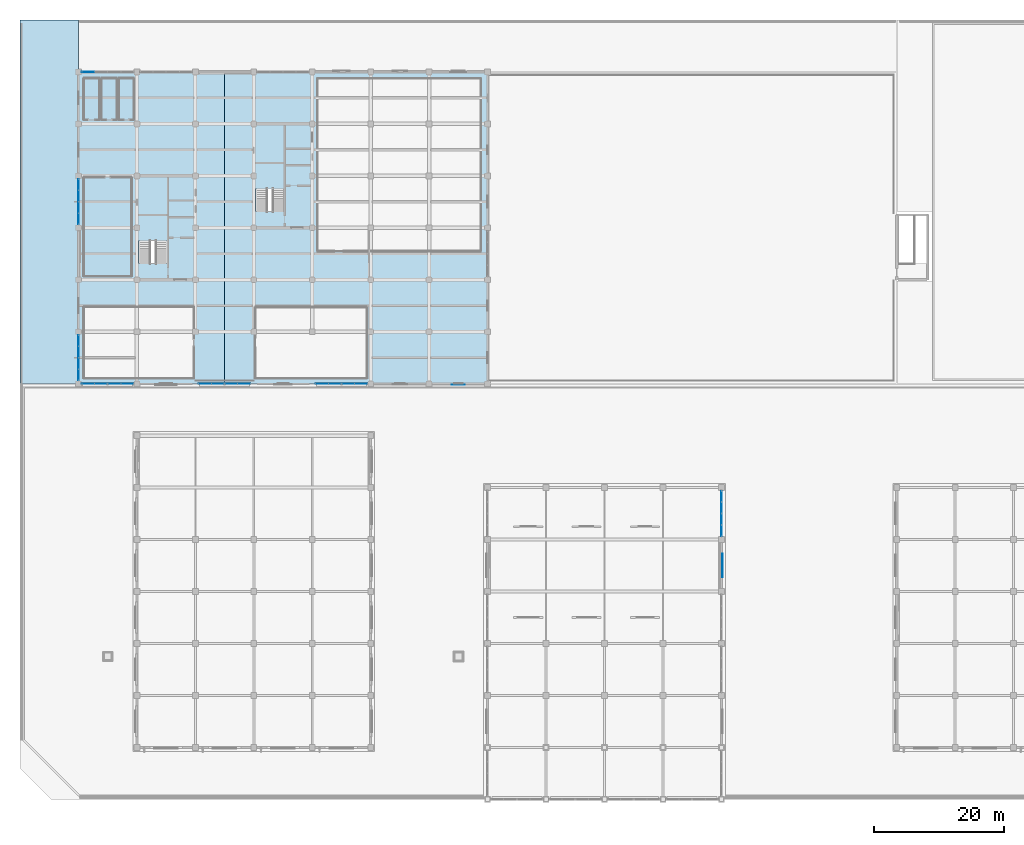
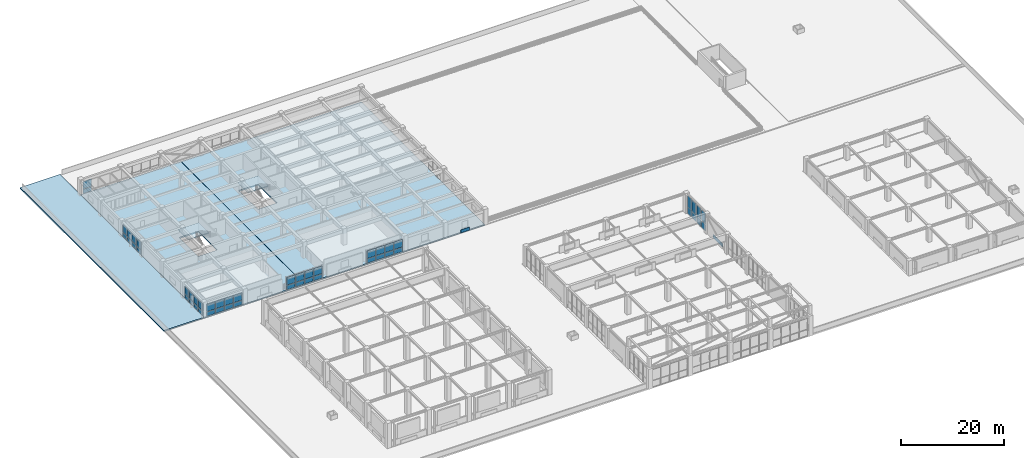
# One storey, part 16 of 34: 52 plates, 5 slabs, 9 elements without a shape of their own.
"""IFC4 building model written with IfcOpenShell, lengths in metres."""

from ifc_helpers import new_model, si_unit, direction, frame, frame_2d, origin, place, context, subcontext, project, spatial, polyline, rectangle, outline, extrude, material, layer, layer_set, type_object, element, aggregate, save


model = new_model("IFC4")

# Units and contexts
model_context = context("Model", 3, precision=1e-05, world=origin(), true_north=direction((0.0, 1.0)))
body_context = subcontext(model_context, "Body", "Model", "MODEL_VIEW")
ifc_project = project(units=[si_unit("LENGTHUNIT", "METRE"), si_unit("AREAUNIT", "SQUARE_METRE"), si_unit("VOLUMEUNIT", "CUBIC_METRE"), si_unit("PLANEANGLEUNIT", "RADIAN"), si_unit("MASSUNIT", "GRAM", prefix="KILO")], contexts=[model_context])

# Site, building, storey
site_placement = place(None, origin())
site = spatial("IfcSite", under=ifc_project, at=site_placement, CompositionType="ELEMENT")
building_placement = place(site_placement, origin())
building = spatial("IfcBuilding", under=site, at=building_placement, Name="Zaverband Oceanarium and Marine Research Institute", CompositionType="ELEMENT")
storey_placement = place(building_placement, frame((0.0, 0.0, 18.0)))
storey = spatial("IfcBuildingStorey", under=building, at=storey_placement, Name="L04", CompositionType="ELEMENT", Elevation=18.0)

# Curtain wall, plates
ifc_material_1 = material(Name="Thermally broken anodized aluminium and solar-control glass", Category="aluminium")
curtain_wall_type = type_object("IfcCurtainWallType", Name="CW-UNIT-1800", PredefinedType="NOTDEFINED", material=ifc_material_1)
curtain_wall_1_placement = place(storey_placement, origin())
curtain_wall_1 = element("IfcCurtainWall", 1, at=curtain_wall_1_placement, inside=storey, type_object=curtain_wall_type, Name="Unitised glazed curtain wall CW-064", PredefinedType="NOTDEFINED")
ifc_material_2 = material(Name="Low-E double-glazed solar-control glass", Category="glass")
ifc_layer_1 = layer(ifc_material_2, 0.033935546875, Name="Low-E double-glazed solar-control glass")
ifc_layer_set_1 = layer_set([ifc_layer_1], Name="Low-E double-glazed solar-control glass")
plate_type_1 = type_object("IfcPlateType", Name="CWP-1570x1043", PredefinedType="CURTAIN_PANEL", material=ifc_layer_set_1)
plate_1_placement = place(storey_placement, frame((9.0, 64.534912109375, 0.050048828125), z_axis=(0.0, 0.0, 1.0), x_axis=(0.0, 1.0, 0.0)))
plate_1 = element("IfcPlate", 2, at=plate_1_placement, type_object=plate_type_1, Name="Glazed curtain wall panel CWP-1570x1043", PredefinedType="CURTAIN_PANEL", context=body_context, shape_type="SweptSolid", body=[
    extrude(rectangle(XDim=1.612548828125, YDim=0.033935546875, at=frame_2d((0.80615234375, 0.0))), origin(), (0.0, 0.0, 1.0), 1.04296875),
])
plate_2_placement = place(storey_placement, frame((9.0, 66.3076171875, 0.050048828125), z_axis=(0.0, 0.0, 1.0), x_axis=(0.0, 1.0, 0.0)))
plate_2 = element("IfcPlate", 3, at=plate_2_placement, type_object=plate_type_1, Name="Glazed curtain wall panel CWP-1570x1043", PredefinedType="CURTAIN_PANEL", context=body_context, shape_type="SweptSolid", body=[
    extrude(rectangle(XDim=1.6123046875, YDim=0.033935546875, at=frame_2d((0.80615234375, 0.0))), origin(), (0.0, 0.0, 1.0), 1.04296875),
])
plate_3_placement = place(storey_placement, frame((9.0, 68.080078125, 0.050048828125), z_axis=(0.0, 0.0, 1.0), x_axis=(0.0, 1.0, 0.0)))
plate_3 = element("IfcPlate", 4, at=plate_3_placement, type_object=plate_type_1, Name="Glazed curtain wall panel CWP-1570x1043", PredefinedType="CURTAIN_PANEL", context=body_context, shape_type="SweptSolid", body=[
    extrude(rectangle(XDim=1.6123046875, YDim=0.033935546875, at=frame_2d((0.80615234375, 0.0))), origin(), (0.0, 0.0, 1.0), 1.04296875),
])
plate_4_placement = place(storey_placement, frame((9.0, 69.8525390625, 0.050048828125), z_axis=(0.0, 0.0, 1.0), x_axis=(0.0, 1.0, 0.0)))
plate_4 = element("IfcPlate", 5, at=plate_4_placement, type_object=plate_type_1, Name="Glazed curtain wall panel CWP-1570x1043", PredefinedType="CURTAIN_PANEL", context=body_context, shape_type="SweptSolid", body=[
    extrude(rectangle(XDim=1.612548828125, YDim=0.033935546875, at=frame_2d((0.80615234375, 0.0))), origin(), (0.0, 0.0, 1.0), 1.04296875),
])

curtain_wall_2_placement = place(storey_placement, origin())
curtain_wall_2 = element("IfcCurtainWall", 6, at=curtain_wall_2_placement, inside=storey, type_object=curtain_wall_type, Name="Unitised glazed curtain wall CW-065", PredefinedType="NOTDEFINED")
plate_5_placement = place(storey_placement, frame((9.0, 88.534912109375, 0.050048828125), z_axis=(0.0, 0.0, 1.0), x_axis=(0.0, 1.0, 0.0)))
plate_5 = element("IfcPlate", 7, at=plate_5_placement, type_object=plate_type_1, Name="Glazed curtain wall panel CWP-1570x1043", PredefinedType="CURTAIN_PANEL", context=body_context, shape_type="SweptSolid", body=[
    extrude(rectangle(XDim=1.612548828125, YDim=0.033935546875, at=frame_2d((0.80615234375, 0.0))), origin(), (0.0, 0.0, 1.0), 1.04296875),
])
plate_6_placement = place(storey_placement, frame((9.0, 90.3076171875, 0.050048828125), z_axis=(0.0, 0.0, 1.0), x_axis=(0.0, 1.0, 0.0)))
plate_6 = element("IfcPlate", 8, at=plate_6_placement, type_object=plate_type_1, Name="Glazed curtain wall panel CWP-1570x1043", PredefinedType="CURTAIN_PANEL", context=body_context, shape_type="SweptSolid", body=[
    extrude(rectangle(XDim=1.6123046875, YDim=0.033935546875, at=frame_2d((0.80615234375, 0.0))), origin(), (0.0, 0.0, 1.0), 1.04296875),
])
plate_7_placement = place(storey_placement, frame((9.0, 92.080078125, 0.050048828125), z_axis=(0.0, 0.0, 1.0), x_axis=(0.0, 1.0, 0.0)))
plate_7 = element("IfcPlate", 9, at=plate_7_placement, type_object=plate_type_1, Name="Glazed curtain wall panel CWP-1570x1043", PredefinedType="CURTAIN_PANEL", context=body_context, shape_type="SweptSolid", body=[
    extrude(rectangle(XDim=1.6123046875, YDim=0.033935546875, at=frame_2d((0.80615234375, 0.0))), origin(), (0.0, 0.0, 1.0), 1.04296875),
])
plate_8_placement = place(storey_placement, frame((9.0, 93.8525390625, 0.050048828125), z_axis=(0.0, 0.0, 1.0), x_axis=(0.0, 1.0, 0.0)))
plate_8 = element("IfcPlate", 10, at=plate_8_placement, type_object=plate_type_1, Name="Glazed curtain wall panel CWP-1570x1043", PredefinedType="CURTAIN_PANEL", context=body_context, shape_type="SweptSolid", body=[
    extrude(rectangle(XDim=1.612548828125, YDim=0.033935546875, at=frame_2d((0.80615234375, 0.0))), origin(), (0.0, 0.0, 1.0), 1.04296875),
])

# Plate
ifc_layer_2 = layer(ifc_material_2, 0.035888671875, Name="Low-E double-glazed solar-control glass")
ifc_layer_set_2 = layer_set([ifc_layer_2], Name="Low-E double-glazed solar-control glass")
plate_type_2 = type_object("IfcPlateType", Name="CWP-1570x1777", PredefinedType="CURTAIN_PANEL", material=ifc_layer_set_2)
plate_9_placement = place(storey_placement, frame((9.0, 64.534912109375, 1.1630859375), z_axis=(0.0, 0.0, 1.0), x_axis=(0.0, 1.0, 0.0)))
plate_9 = element("IfcPlate", 11, at=plate_9_placement, type_object=plate_type_2, Name="Glazed curtain wall panel CWP-1570x1777", PredefinedType="CURTAIN_PANEL", context=body_context, shape_type="SweptSolid", body=[
    extrude(rectangle(XDim=1.612548828125, YDim=0.035888671875, at=frame_2d((0.80615234375, 0.0))), origin(), (0.0, 0.0, 1.0), 1.77685546875),
])

plate_10_placement = place(storey_placement, frame((9.0, 66.3076171875, 1.1630859375), z_axis=(0.0, 0.0, 1.0), x_axis=(0.0, 1.0, 0.0)))
plate_10 = element("IfcPlate", 12, at=plate_10_placement, type_object=plate_type_2, Name="Glazed curtain wall panel CWP-1570x1777", PredefinedType="CURTAIN_PANEL", context=body_context, shape_type="SweptSolid", body=[
    extrude(rectangle(XDim=1.6123046875, YDim=0.035888671875, at=frame_2d((0.80615234375, 0.0))), origin(), (0.0, 0.0, 1.0), 1.77685546875),
])

plate_11_placement = place(storey_placement, frame((9.0, 68.080078125, 1.1630859375), z_axis=(0.0, 0.0, 1.0), x_axis=(0.0, 1.0, 0.0)))
plate_11 = element("IfcPlate", 13, at=plate_11_placement, type_object=plate_type_2, Name="Glazed curtain wall panel CWP-1570x1777", PredefinedType="CURTAIN_PANEL", context=body_context, shape_type="SweptSolid", body=[
    extrude(rectangle(XDim=1.6123046875, YDim=0.035888671875, at=frame_2d((0.80615234375, 0.0))), origin(), (0.0, 0.0, 1.0), 1.77685546875),
])

plate_12_placement = place(storey_placement, frame((9.0, 69.8525390625, 1.1630859375), z_axis=(0.0, 0.0, 1.0), x_axis=(0.0, 1.0, 0.0)))
plate_12 = element("IfcPlate", 14, at=plate_12_placement, type_object=plate_type_2, Name="Glazed curtain wall panel CWP-1570x1777", PredefinedType="CURTAIN_PANEL", context=body_context, shape_type="SweptSolid", body=[
    extrude(rectangle(XDim=1.612548828125, YDim=0.035888671875, at=frame_2d((0.80615234375, 0.0))), origin(), (0.0, 0.0, 1.0), 1.77685546875),
])

aggregate(curtain_wall_1, [plate_1, plate_9, plate_2, plate_10, plate_3, plate_11, plate_4, plate_12])

plate_13_placement = place(storey_placement, frame((9.0, 88.534912109375, 1.1630859375), z_axis=(0.0, 0.0, 1.0), x_axis=(0.0, 1.0, 0.0)))
plate_13 = element("IfcPlate", 15, at=plate_13_placement, type_object=plate_type_2, Name="Glazed curtain wall panel CWP-1570x1777", PredefinedType="CURTAIN_PANEL", context=body_context, shape_type="SweptSolid", body=[
    extrude(rectangle(XDim=1.612548828125, YDim=0.035888671875, at=frame_2d((0.80615234375, 0.0))), origin(), (0.0, 0.0, 1.0), 1.77685546875),
])

plate_14_placement = place(storey_placement, frame((9.0, 90.3076171875, 1.1630859375), z_axis=(0.0, 0.0, 1.0), x_axis=(0.0, 1.0, 0.0)))
plate_14 = element("IfcPlate", 16, at=plate_14_placement, type_object=plate_type_2, Name="Glazed curtain wall panel CWP-1570x1777", PredefinedType="CURTAIN_PANEL", context=body_context, shape_type="SweptSolid", body=[
    extrude(rectangle(XDim=1.6123046875, YDim=0.035888671875, at=frame_2d((0.80615234375, 0.0))), origin(), (0.0, 0.0, 1.0), 1.77685546875),
])

plate_15_placement = place(storey_placement, frame((9.0, 92.080078125, 1.1630859375), z_axis=(0.0, 0.0, 1.0), x_axis=(0.0, 1.0, 0.0)))
plate_15 = element("IfcPlate", 17, at=plate_15_placement, type_object=plate_type_2, Name="Glazed curtain wall panel CWP-1570x1777", PredefinedType="CURTAIN_PANEL", context=body_context, shape_type="SweptSolid", body=[
    extrude(rectangle(XDim=1.6123046875, YDim=0.035888671875, at=frame_2d((0.80615234375, 0.0))), origin(), (0.0, 0.0, 1.0), 1.77685546875),
])

plate_16_placement = place(storey_placement, frame((9.0, 93.8525390625, 1.1630859375), z_axis=(0.0, 0.0, 1.0), x_axis=(0.0, 1.0, 0.0)))
plate_16 = element("IfcPlate", 18, at=plate_16_placement, type_object=plate_type_2, Name="Glazed curtain wall panel CWP-1570x1777", PredefinedType="CURTAIN_PANEL", context=body_context, shape_type="SweptSolid", body=[
    extrude(rectangle(XDim=1.612548828125, YDim=0.035888671875, at=frame_2d((0.80615234375, 0.0))), origin(), (0.0, 0.0, 1.0), 1.77685546875),
])

aggregate(curtain_wall_2, [plate_5, plate_13, plate_6, plate_14, plate_7, plate_15, plate_8, plate_16])

# Curtain wall, plates
curtain_wall_3_placement = place(storey_placement, origin())
curtain_wall_3 = element("IfcCurtainWall", 19, at=curtain_wall_3_placement, inside=storey, type_object=curtain_wall_type, Name="Unitised glazed curtain wall CW-194", PredefinedType="NOTDEFINED")
ifc_layer_3 = layer(ifc_material_2, 0.033935546875, Name="Low-E double-glazed solar-control glass")
ifc_layer_set_3 = layer_set([ifc_layer_3], Name="Low-E double-glazed solar-control glass")
plate_type_3 = type_object("IfcPlateType", Name="CWP-1610x1505", PredefinedType="CURTAIN_PANEL", material=ifc_layer_set_3)
plate_17_placement = place(storey_placement, frame((108.0, 40.5400390625, 0.050048828125), z_axis=(0.0, 0.0, 1.0), x_axis=(0.0, 1.0, 0.0)))
plate_17 = element("IfcPlate", 20, at=plate_17_placement, type_object=plate_type_3, Name="Glazed curtain wall panel CWP-1610x1505", PredefinedType="CURTAIN_PANEL", context=body_context, shape_type="SweptSolid", body=[
    extrude(rectangle(XDim=1.60986328125, YDim=0.033935546875, at=frame_2d((0.804931640625, 0.0))), origin(), (0.0, 0.0, 1.0), 1.5048828125),
])
plate_18_placement = place(storey_placement, frame((108.0, 42.31005859375, 0.050048828125), z_axis=(0.0, 0.0, 1.0), x_axis=(0.0, 1.0, 0.0)))
plate_18 = element("IfcPlate", 21, at=plate_18_placement, type_object=plate_type_3, Name="Glazed curtain wall panel CWP-1610x1505", PredefinedType="CURTAIN_PANEL", context=body_context, shape_type="SweptSolid", body=[
    extrude(rectangle(XDim=1.60986328125, YDim=0.033935546875, at=frame_2d((0.804931640625, 0.0))), origin(), (0.0, 0.0, 1.0), 1.5048828125),
])
plate_19_placement = place(storey_placement, frame((108.0, 44.080078125, 0.050048828125), z_axis=(0.0, 0.0, 1.0), x_axis=(0.0, 1.0, 0.0)))
plate_19 = element("IfcPlate", 22, at=plate_19_placement, type_object=plate_type_3, Name="Glazed curtain wall panel CWP-1610x1505", PredefinedType="CURTAIN_PANEL", context=body_context, shape_type="SweptSolid", body=[
    extrude(rectangle(XDim=1.60986328125, YDim=0.033935546875, at=frame_2d((0.804931640625, 0.0))), origin(), (0.0, 0.0, 1.0), 1.5048828125),
])
plate_20_placement = place(storey_placement, frame((108.0, 45.85009765625, 0.050048828125), z_axis=(0.0, 0.0, 1.0), x_axis=(0.0, 1.0, 0.0)))
plate_20 = element("IfcPlate", 23, at=plate_20_placement, type_object=plate_type_3, Name="Glazed curtain wall panel CWP-1610x1505", PredefinedType="CURTAIN_PANEL", context=body_context, shape_type="SweptSolid", body=[
    extrude(rectangle(XDim=1.60986328125, YDim=0.033935546875, at=frame_2d((0.804931640625, 0.0))), origin(), (0.0, 0.0, 1.0), 1.5048828125),
])
ifc_layer_4 = layer(ifc_material_2, 0.035888671875, Name="Low-E double-glazed solar-control glass")
ifc_layer_set_4 = layer_set([ifc_layer_4], Name="Low-E double-glazed solar-control glass")
plate_type_4 = type_object("IfcPlateType", Name="CWP-1610x2635", PredefinedType="CURTAIN_PANEL", material=ifc_layer_set_4)
plate_21_placement = place(storey_placement, frame((108.0, 40.5400390625, 1.625), z_axis=(0.0, 0.0, 1.0), x_axis=(0.0, 1.0, 0.0)))
plate_21 = element("IfcPlate", 24, at=plate_21_placement, type_object=plate_type_4, Name="Glazed curtain wall panel CWP-1610x2635", PredefinedType="CURTAIN_PANEL", context=body_context, shape_type="SweptSolid", body=[
    extrude(rectangle(XDim=1.60986328125, YDim=0.035888671875, at=frame_2d((0.804931640625, 0.0))), origin(), (0.0, 0.0, 1.0), 2.635009765625),
])
plate_22_placement = place(storey_placement, frame((108.0, 42.31005859375, 1.625), z_axis=(0.0, 0.0, 1.0), x_axis=(0.0, 1.0, 0.0)))
plate_22 = element("IfcPlate", 25, at=plate_22_placement, type_object=plate_type_4, Name="Glazed curtain wall panel CWP-1610x2635", PredefinedType="CURTAIN_PANEL", context=body_context, shape_type="SweptSolid", body=[
    extrude(rectangle(XDim=1.60986328125, YDim=0.035888671875, at=frame_2d((0.804931640625, 0.0))), origin(), (0.0, 0.0, 1.0), 2.635009765625),
])
plate_23_placement = place(storey_placement, frame((108.0, 44.080078125, 1.625), z_axis=(0.0, 0.0, 1.0), x_axis=(0.0, 1.0, 0.0)))
plate_23 = element("IfcPlate", 26, at=plate_23_placement, type_object=plate_type_4, Name="Glazed curtain wall panel CWP-1610x2635", PredefinedType="CURTAIN_PANEL", context=body_context, shape_type="SweptSolid", body=[
    extrude(rectangle(XDim=1.60986328125, YDim=0.035888671875, at=frame_2d((0.804931640625, 0.0))), origin(), (0.0, 0.0, 1.0), 2.635009765625),
])
plate_24_placement = place(storey_placement, frame((108.0, 45.85009765625, 1.625), z_axis=(0.0, 0.0, 1.0), x_axis=(0.0, 1.0, 0.0)))
plate_24 = element("IfcPlate", 27, at=plate_24_placement, type_object=plate_type_4, Name="Glazed curtain wall panel CWP-1610x2635", PredefinedType="CURTAIN_PANEL", context=body_context, shape_type="SweptSolid", body=[
    extrude(rectangle(XDim=1.60986328125, YDim=0.035888671875, at=frame_2d((0.804931640625, 0.0))), origin(), (0.0, 0.0, 1.0), 2.635009765625),
])
aggregate(curtain_wall_3, [plate_17, plate_21, plate_18, plate_22, plate_19, plate_23, plate_20, plate_24])

curtain_wall_4_placement = place(storey_placement, origin())
curtain_wall_4 = element("IfcCurtainWall", 28, at=curtain_wall_4_placement, inside=storey, type_object=curtain_wall_type, Name="Unitised glazed curtain wall CW-058", PredefinedType="NOTDEFINED")
ifc_layer_5 = layer(ifc_material_2, 0.033935546875, Name="Low-E double-glazed solar-control glass")
ifc_layer_set_5 = layer_set([ifc_layer_5], Name="Low-E double-glazed solar-control glass")
plate_type_5 = type_object("IfcPlateType", Name="CWP-1820x1043", PredefinedType="CURTAIN_PANEL", material=ifc_layer_set_5)
plate_25_placement = place(storey_placement, frame((9.534912109375, 64.0, 0.050048828125), z_axis=(0.0, 0.0, 1.0), x_axis=(1.0, 0.0, 0.0)))
plate_25 = element("IfcPlate", 29, at=plate_25_placement, type_object=plate_type_5, Name="Glazed curtain wall panel CWP-1820x1043", PredefinedType="CURTAIN_PANEL", context=body_context, shape_type="SweptSolid", body=[
    extrude(rectangle(XDim=1.862548828125, YDim=0.033935546875, at=frame_2d((0.93115234375, 0.0))), origin(), (0.0, 0.0, 1.0), 1.04296875),
])
plate_26_placement = place(storey_placement, frame((11.5576171875, 64.0, 0.050048828125), z_axis=(0.0, 0.0, 1.0), x_axis=(1.0, 0.0, 0.0)))
plate_26 = element("IfcPlate", 30, at=plate_26_placement, type_object=plate_type_5, Name="Glazed curtain wall panel CWP-1820x1043", PredefinedType="CURTAIN_PANEL", context=body_context, shape_type="SweptSolid", body=[
    extrude(rectangle(XDim=1.8623046875, YDim=0.033935546875, at=frame_2d((0.93115234375, 0.0))), origin(), (0.0, 0.0, 1.0), 1.04296875),
])
plate_27_placement = place(storey_placement, frame((13.580078125, 64.0, 0.050048828125), z_axis=(0.0, 0.0, 1.0), x_axis=(1.0, 0.0, 0.0)))
plate_27 = element("IfcPlate", 31, at=plate_27_placement, type_object=plate_type_5, Name="Glazed curtain wall panel CWP-1820x1043", PredefinedType="CURTAIN_PANEL", context=body_context, shape_type="SweptSolid", body=[
    extrude(rectangle(XDim=1.8623046875, YDim=0.033935546875, at=frame_2d((0.93115234375, 0.0))), origin(), (0.0, 0.0, 1.0), 1.04296875),
])
plate_28_placement = place(storey_placement, frame((15.6025390625, 64.0, 0.050048828125), z_axis=(0.0, 0.0, 1.0), x_axis=(1.0, 0.0, 0.0)))
plate_28 = element("IfcPlate", 32, at=plate_28_placement, type_object=plate_type_5, Name="Glazed curtain wall panel CWP-1820x1043", PredefinedType="CURTAIN_PANEL", context=body_context, shape_type="SweptSolid", body=[
    extrude(rectangle(XDim=1.862548828125, YDim=0.033935546875, at=frame_2d((0.93115234375, 0.0))), origin(), (0.0, 0.0, 1.0), 1.04296875),
])

curtain_wall_5_placement = place(storey_placement, origin())
curtain_wall_5 = element("IfcCurtainWall", 33, at=curtain_wall_5_placement, inside=storey, type_object=curtain_wall_type, Name="Unitised glazed curtain wall CW-059", PredefinedType="NOTDEFINED")
plate_29_placement = place(storey_placement, frame((27.534912109375, 64.0, 0.050048828125), z_axis=(0.0, 0.0, 1.0), x_axis=(1.0, 0.0, 0.0)))
plate_29 = element("IfcPlate", 34, at=plate_29_placement, type_object=plate_type_5, Name="Glazed curtain wall panel CWP-1820x1043", PredefinedType="CURTAIN_PANEL", context=body_context, shape_type="SweptSolid", body=[
    extrude(rectangle(XDim=1.862548828125, YDim=0.033935546875, at=frame_2d((0.93115234375, 0.0))), origin(), (0.0, 0.0, 1.0), 1.04296875),
])
plate_30_placement = place(storey_placement, frame((29.5576171875, 64.0, 0.050048828125), z_axis=(0.0, 0.0, 1.0), x_axis=(1.0, 0.0, 0.0)))
plate_30 = element("IfcPlate", 35, at=plate_30_placement, type_object=plate_type_5, Name="Glazed curtain wall panel CWP-1820x1043", PredefinedType="CURTAIN_PANEL", context=body_context, shape_type="SweptSolid", body=[
    extrude(rectangle(XDim=1.8623046875, YDim=0.033935546875, at=frame_2d((0.93115234375, 0.0))), origin(), (0.0, 0.0, 1.0), 1.04296875),
])
plate_31_placement = place(storey_placement, frame((31.580078125, 64.0, 0.050048828125), z_axis=(0.0, 0.0, 1.0), x_axis=(1.0, 0.0, 0.0)))
plate_31 = element("IfcPlate", 36, at=plate_31_placement, type_object=plate_type_5, Name="Glazed curtain wall panel CWP-1820x1043", PredefinedType="CURTAIN_PANEL", context=body_context, shape_type="SweptSolid", body=[
    extrude(rectangle(XDim=1.8623046875, YDim=0.033935546875, at=frame_2d((0.93115234375, 0.0))), origin(), (0.0, 0.0, 1.0), 1.04296875),
])
plate_32_placement = place(storey_placement, frame((33.6025390625, 64.0, 0.050048828125), z_axis=(0.0, 0.0, 1.0), x_axis=(1.0, 0.0, 0.0)))
plate_32 = element("IfcPlate", 37, at=plate_32_placement, type_object=plate_type_5, Name="Glazed curtain wall panel CWP-1820x1043", PredefinedType="CURTAIN_PANEL", context=body_context, shape_type="SweptSolid", body=[
    extrude(rectangle(XDim=1.862548828125, YDim=0.033935546875, at=frame_2d((0.93115234375, 0.0))), origin(), (0.0, 0.0, 1.0), 1.04296875),
])

curtain_wall_6_placement = place(storey_placement, origin())
curtain_wall_6 = element("IfcCurtainWall", 38, at=curtain_wall_6_placement, inside=storey, type_object=curtain_wall_type, Name="Unitised glazed curtain wall CW-060", PredefinedType="NOTDEFINED")
plate_33_placement = place(storey_placement, frame((45.534912109375, 64.0, 0.050048828125), z_axis=(0.0, 0.0, 1.0), x_axis=(1.0, 0.0, 0.0)))
plate_33 = element("IfcPlate", 39, at=plate_33_placement, type_object=plate_type_5, Name="Glazed curtain wall panel CWP-1820x1043", PredefinedType="CURTAIN_PANEL", context=body_context, shape_type="SweptSolid", body=[
    extrude(rectangle(XDim=1.862548828125, YDim=0.033935546875, at=frame_2d((0.93115234375, 0.0))), origin(), (0.0, 0.0, 1.0), 1.04296875),
])
plate_34_placement = place(storey_placement, frame((47.5576171875, 64.0, 0.050048828125), z_axis=(0.0, 0.0, 1.0), x_axis=(1.0, 0.0, 0.0)))
plate_34 = element("IfcPlate", 40, at=plate_34_placement, type_object=plate_type_5, Name="Glazed curtain wall panel CWP-1820x1043", PredefinedType="CURTAIN_PANEL", context=body_context, shape_type="SweptSolid", body=[
    extrude(rectangle(XDim=1.8623046875, YDim=0.033935546875, at=frame_2d((0.93115234375, 0.0))), origin(), (0.0, 0.0, 1.0), 1.04296875),
])
plate_35_placement = place(storey_placement, frame((49.580078125, 64.0, 0.050048828125), z_axis=(0.0, 0.0, 1.0), x_axis=(1.0, 0.0, 0.0)))
plate_35 = element("IfcPlate", 41, at=plate_35_placement, type_object=plate_type_5, Name="Glazed curtain wall panel CWP-1820x1043", PredefinedType="CURTAIN_PANEL", context=body_context, shape_type="SweptSolid", body=[
    extrude(rectangle(XDim=1.8623046875, YDim=0.033935546875, at=frame_2d((0.93115234375, 0.0))), origin(), (0.0, 0.0, 1.0), 1.04296875),
])
plate_36_placement = place(storey_placement, frame((51.6025390625, 64.0, 0.050048828125), z_axis=(0.0, 0.0, 1.0), x_axis=(1.0, 0.0, 0.0)))
plate_36 = element("IfcPlate", 42, at=plate_36_placement, type_object=plate_type_5, Name="Glazed curtain wall panel CWP-1820x1043", PredefinedType="CURTAIN_PANEL", context=body_context, shape_type="SweptSolid", body=[
    extrude(rectangle(XDim=1.862548828125, YDim=0.033935546875, at=frame_2d((0.93115234375, 0.0))), origin(), (0.0, 0.0, 1.0), 1.04296875),
])

# Curtain wall, plate
curtain_wall_7_placement = place(storey_placement, origin())
curtain_wall_7 = element("IfcCurtainWall", 43, at=curtain_wall_7_placement, inside=storey, type_object=curtain_wall_type, Name="Unitised glazed curtain wall CW-061", PredefinedType="NOTDEFINED")
plate_37_placement = place(storey_placement, frame((9.534912109375, 112.0, 0.050048828125), z_axis=(0.0, 0.0, 1.0), x_axis=(1.0, 0.0, 0.0)))
plate_37 = element("IfcPlate", 44, at=plate_37_placement, type_object=plate_type_5, Name="Glazed curtain wall panel CWP-1820x1043", PredefinedType="CURTAIN_PANEL", context=body_context, shape_type="SweptSolid", body=[
    extrude(rectangle(XDim=1.862548828125, YDim=0.033935546875, at=frame_2d((0.93115234375, 0.0))), origin(), (0.0, 0.0, 1.0), 1.04296875),
])

# Plate
ifc_layer_6 = layer(ifc_material_2, 0.035888671875, Name="Low-E double-glazed solar-control glass")
ifc_layer_set_6 = layer_set([ifc_layer_6], Name="Low-E double-glazed solar-control glass")
plate_type_6 = type_object("IfcPlateType", Name="CWP-1820x1777", PredefinedType="CURTAIN_PANEL", material=ifc_layer_set_6)
plate_38_placement = place(storey_placement, frame((9.534912109375, 64.0, 1.1630859375), z_axis=(0.0, 0.0, 1.0), x_axis=(1.0, 0.0, 0.0)))
plate_38 = element("IfcPlate", 45, at=plate_38_placement, type_object=plate_type_6, Name="Glazed curtain wall panel CWP-1820x1777", PredefinedType="CURTAIN_PANEL", context=body_context, shape_type="SweptSolid", body=[
    extrude(rectangle(XDim=1.862548828125, YDim=0.035888671875, at=frame_2d((0.93115234375, 0.0))), origin(), (0.0, 0.0, 1.0), 1.77685546875),
])

plate_39_placement = place(storey_placement, frame((11.5576171875, 64.0, 1.1630859375), z_axis=(0.0, 0.0, 1.0), x_axis=(1.0, 0.0, 0.0)))
plate_39 = element("IfcPlate", 46, at=plate_39_placement, type_object=plate_type_6, Name="Glazed curtain wall panel CWP-1820x1777", PredefinedType="CURTAIN_PANEL", context=body_context, shape_type="SweptSolid", body=[
    extrude(rectangle(XDim=1.8623046875, YDim=0.035888671875, at=frame_2d((0.93115234375, 0.0))), origin(), (0.0, 0.0, 1.0), 1.77685546875),
])

plate_40_placement = place(storey_placement, frame((13.580078125, 64.0, 1.1630859375), z_axis=(0.0, 0.0, 1.0), x_axis=(1.0, 0.0, 0.0)))
plate_40 = element("IfcPlate", 47, at=plate_40_placement, type_object=plate_type_6, Name="Glazed curtain wall panel CWP-1820x1777", PredefinedType="CURTAIN_PANEL", context=body_context, shape_type="SweptSolid", body=[
    extrude(rectangle(XDim=1.8623046875, YDim=0.035888671875, at=frame_2d((0.93115234375, 0.0))), origin(), (0.0, 0.0, 1.0), 1.77685546875),
])

plate_41_placement = place(storey_placement, frame((15.6025390625, 64.0, 1.1630859375), z_axis=(0.0, 0.0, 1.0), x_axis=(1.0, 0.0, 0.0)))
plate_41 = element("IfcPlate", 48, at=plate_41_placement, type_object=plate_type_6, Name="Glazed curtain wall panel CWP-1820x1777", PredefinedType="CURTAIN_PANEL", context=body_context, shape_type="SweptSolid", body=[
    extrude(rectangle(XDim=1.862548828125, YDim=0.035888671875, at=frame_2d((0.93115234375, 0.0))), origin(), (0.0, 0.0, 1.0), 1.77685546875),
])

aggregate(curtain_wall_4, [plate_25, plate_38, plate_26, plate_39, plate_27, plate_40, plate_28, plate_41])

plate_42_placement = place(storey_placement, frame((27.534912109375, 64.0, 1.1630859375), z_axis=(0.0, 0.0, 1.0), x_axis=(1.0, 0.0, 0.0)))
plate_42 = element("IfcPlate", 49, at=plate_42_placement, type_object=plate_type_6, Name="Glazed curtain wall panel CWP-1820x1777", PredefinedType="CURTAIN_PANEL", context=body_context, shape_type="SweptSolid", body=[
    extrude(rectangle(XDim=1.862548828125, YDim=0.035888671875, at=frame_2d((0.93115234375, 0.0))), origin(), (0.0, 0.0, 1.0), 1.77685546875),
])

plate_43_placement = place(storey_placement, frame((29.5576171875, 64.0, 1.1630859375), z_axis=(0.0, 0.0, 1.0), x_axis=(1.0, 0.0, 0.0)))
plate_43 = element("IfcPlate", 50, at=plate_43_placement, type_object=plate_type_6, Name="Glazed curtain wall panel CWP-1820x1777", PredefinedType="CURTAIN_PANEL", context=body_context, shape_type="SweptSolid", body=[
    extrude(rectangle(XDim=1.8623046875, YDim=0.035888671875, at=frame_2d((0.93115234375, 0.0))), origin(), (0.0, 0.0, 1.0), 1.77685546875),
])

plate_44_placement = place(storey_placement, frame((31.580078125, 64.0, 1.1630859375), z_axis=(0.0, 0.0, 1.0), x_axis=(1.0, 0.0, 0.0)))
plate_44 = element("IfcPlate", 51, at=plate_44_placement, type_object=plate_type_6, Name="Glazed curtain wall panel CWP-1820x1777", PredefinedType="CURTAIN_PANEL", context=body_context, shape_type="SweptSolid", body=[
    extrude(rectangle(XDim=1.8623046875, YDim=0.035888671875, at=frame_2d((0.93115234375, 0.0))), origin(), (0.0, 0.0, 1.0), 1.77685546875),
])

plate_45_placement = place(storey_placement, frame((33.6025390625, 64.0, 1.1630859375), z_axis=(0.0, 0.0, 1.0), x_axis=(1.0, 0.0, 0.0)))
plate_45 = element("IfcPlate", 52, at=plate_45_placement, type_object=plate_type_6, Name="Glazed curtain wall panel CWP-1820x1777", PredefinedType="CURTAIN_PANEL", context=body_context, shape_type="SweptSolid", body=[
    extrude(rectangle(XDim=1.862548828125, YDim=0.035888671875, at=frame_2d((0.93115234375, 0.0))), origin(), (0.0, 0.0, 1.0), 1.77685546875),
])

aggregate(curtain_wall_5, [plate_29, plate_42, plate_30, plate_43, plate_31, plate_44, plate_32, plate_45])

plate_46_placement = place(storey_placement, frame((45.534912109375, 64.0, 1.1630859375), z_axis=(0.0, 0.0, 1.0), x_axis=(1.0, 0.0, 0.0)))
plate_46 = element("IfcPlate", 53, at=plate_46_placement, type_object=plate_type_6, Name="Glazed curtain wall panel CWP-1820x1777", PredefinedType="CURTAIN_PANEL", context=body_context, shape_type="SweptSolid", body=[
    extrude(rectangle(XDim=1.862548828125, YDim=0.035888671875, at=frame_2d((0.93115234375, 0.0))), origin(), (0.0, 0.0, 1.0), 1.77685546875),
])

plate_47_placement = place(storey_placement, frame((47.5576171875, 64.0, 1.1630859375), z_axis=(0.0, 0.0, 1.0), x_axis=(1.0, 0.0, 0.0)))
plate_47 = element("IfcPlate", 54, at=plate_47_placement, type_object=plate_type_6, Name="Glazed curtain wall panel CWP-1820x1777", PredefinedType="CURTAIN_PANEL", context=body_context, shape_type="SweptSolid", body=[
    extrude(rectangle(XDim=1.8623046875, YDim=0.035888671875, at=frame_2d((0.93115234375, 0.0))), origin(), (0.0, 0.0, 1.0), 1.77685546875),
])

plate_48_placement = place(storey_placement, frame((49.580078125, 64.0, 1.1630859375), z_axis=(0.0, 0.0, 1.0), x_axis=(1.0, 0.0, 0.0)))
plate_48 = element("IfcPlate", 55, at=plate_48_placement, type_object=plate_type_6, Name="Glazed curtain wall panel CWP-1820x1777", PredefinedType="CURTAIN_PANEL", context=body_context, shape_type="SweptSolid", body=[
    extrude(rectangle(XDim=1.8623046875, YDim=0.035888671875, at=frame_2d((0.93115234375, 0.0))), origin(), (0.0, 0.0, 1.0), 1.77685546875),
])

plate_49_placement = place(storey_placement, frame((51.6025390625, 64.0, 1.1630859375), z_axis=(0.0, 0.0, 1.0), x_axis=(1.0, 0.0, 0.0)))
plate_49 = element("IfcPlate", 56, at=plate_49_placement, type_object=plate_type_6, Name="Glazed curtain wall panel CWP-1820x1777", PredefinedType="CURTAIN_PANEL", context=body_context, shape_type="SweptSolid", body=[
    extrude(rectangle(XDim=1.862548828125, YDim=0.035888671875, at=frame_2d((0.93115234375, 0.0))), origin(), (0.0, 0.0, 1.0), 1.77685546875),
])

aggregate(curtain_wall_6, [plate_33, plate_46, plate_34, plate_47, plate_35, plate_48, plate_36, plate_49])

plate_50_placement = place(storey_placement, frame((9.534912109375, 112.0, 1.1630859375), z_axis=(0.0, 0.0, 1.0), x_axis=(1.0, 0.0, 0.0)))
plate_50 = element("IfcPlate", 57, at=plate_50_placement, type_object=plate_type_6, Name="Glazed curtain wall panel CWP-1820x1777", PredefinedType="CURTAIN_PANEL", context=body_context, shape_type="SweptSolid", body=[
    extrude(rectangle(XDim=1.862548828125, YDim=0.035888671875, at=frame_2d((0.93115234375, 0.0))), origin(), (0.0, 0.0, 1.0), 1.77685546875),
])

aggregate(curtain_wall_7, [plate_37, plate_50])

# Plates
ifc_material_3 = material(Name="Concrete C40/50 precast ochre", Category="concrete")
ifc_layer_7 = layer(ifc_material_3, 0.070068359375, Name="Concrete C40/50 precast ochre")
ifc_layer_set_7 = layer_set([ifc_layer_7], Name="Concrete C40/50 precast ochre")
plate_type_7 = type_object("IfcPlateType", Name="FRP-2000x720", PredefinedType="USERDEFINED", material=ifc_layer_set_7)
plate_51_placement = place(storey_placement, frame((66.5, 63.8349609375, 0.0), z_axis=(0.0, 0.0, 1.0), x_axis=(1.0, 0.0, 0.0)))
element("IfcPlate", 58, at=plate_51_placement, inside=storey, type_object=plate_type_7, Name="Geometric precast facade cladding panel FRP-2000x720", ObjectType="FLANGE_PLATE", PredefinedType="USERDEFINED", context=body_context, shape_type="SweptSolid", body=[
    extrude(rectangle(XDim=2.0, YDim=0.070068359375, at=frame_2d((1.0, 0.0))), origin(), (0.0, 0.0, 1.0), 0.719970703125),
])
ifc_layer_8 = layer(ifc_material_3, 0.0849609375, Name="Concrete C40/50 precast ochre")
ifc_layer_set_8 = layer_set([ifc_layer_8], Name="Concrete C40/50 precast ochre")
plate_type_8 = type_object("IfcPlateType", Name="FRP-3600x800", PredefinedType="USERDEFINED", material=ifc_layer_set_8)
plate_52_placement = place(storey_placement, frame((108.1826171875, 34.199951171875, 0.0), z_axis=(0.0, 0.0, 1.0), x_axis=(0.0, 1.0, 0.0)))
element("IfcPlate", 59, at=plate_52_placement, inside=storey, type_object=plate_type_8, Name="Geometric precast facade cladding panel FRP-3600x800", ObjectType="FLANGE_PLATE", PredefinedType="USERDEFINED", context=body_context, shape_type="SweptSolid", body=[
    extrude(rectangle(XDim=3.60009765625, YDim=0.0849609375, at=frame_2d((1.800048828125, 0.0))), origin(), (0.0, 0.0, 1.0), 0.800048828125),
])

# Slabs
ifc_material_4 = material(Name="Concrete C40/50", Category="concrete")
ifc_layer_9 = layer(ifc_material_4, 0.300048828125, Name="Concrete C40/50")
ifc_layer_set_9 = layer_set([ifc_layer_9], Name="Concrete C40/50")
slab_type_1 = type_object("IfcSlabType", Name="SLB-BSM-300", PredefinedType="FLOOR", material=ifc_layer_set_9)
slab_1_placement = place(storey_placement, frame((0.0, 0.0, -0.300048828125)))
element("IfcSlab", 60, at=slab_1_placement, inside=storey, type_object=slab_type_1, Name="Suspended floor slab SLB-BSM-300", PredefinedType="FLOOR", context=body_context, shape_type="SweptSolid", body=[
    extrude(outline(polyline([(9.0, 112.0), (31.485107421875, 112.0), (31.485107421875, 64.0), (9.0, 64.0), (9.0, 112.0)]), holes=[polyline([(18.35009765625, 82.5), (22.64990234375, 82.5), (22.64990234375, 89.85009765625), (18.35009765625, 89.85009765625), (18.35009765625, 82.5)])]), origin(), (0.0, 0.0, 1.0), 0.300048828125),
])
slab_2_placement = place(storey_placement, frame((0.0, 0.0, -0.300048828125)))
element("IfcSlab", 61, at=slab_2_placement, inside=storey, type_object=slab_type_1, Name="Suspended floor slab SLB-BSM-300", PredefinedType="FLOOR", context=body_context, shape_type="SweptSolid", body=[
    extrude(outline(polyline([(31.514892578125, 112.0), (72.0, 112.0), (72.0, 64.0), (31.514892578125, 64.0), (31.514892578125, 112.0)]), holes=[polyline([(36.35009765625, 97.85009765625), (36.35009765625, 90.5), (40.64990234375, 90.5), (40.64990234375, 97.85009765625), (36.35009765625, 97.85009765625)])]), origin(), (0.0, 0.0, 1.0), 0.300048828125),
])

# Stair, slab
stair_type = type_object("IfcStairType", Name="STR-TWR-1650-3900", PredefinedType="HALF_TURN_STAIR", material=ifc_material_4)
stair_1_placement = place(storey_placement, origin())
stair_1 = element("IfcStair", 62, at=stair_1_placement, inside=storey, type_object=stair_type, Name="Exit Stair ST-01 (L04)", PredefinedType="HALF_TURN_STAIR")
ifc_layer_10 = layer(ifc_material_4, 0.199951171875, Name="Concrete C40/50")
ifc_layer_set_10 = layer_set([ifc_layer_10], Name="Concrete C40/50")
slab_type_2 = type_object("IfcSlabType", Name="SLB-LND-200", PredefinedType="LANDING", material=ifc_layer_set_10)
slab_3_placement = place(storey_placement, frame((0.0, 0.0, 1.75)))
slab_3 = element("IfcSlab", 63, at=slab_3_placement, type_object=slab_type_2, Name="Stair / ramp landing slab SLB-LND-200", PredefinedType="LANDING", context=body_context, shape_type="SweptSolid", body=[
    extrude(outline(polyline([(18.139892578125, 85.969970703125), (22.735107421875, 85.969970703125), (22.735107421875, 89.93505859375), (18.139892578125, 89.93505859375), (18.139892578125, 85.969970703125)])), origin(), (0.0, 0.0, 1.0), 0.199951171875),
])
aggregate(stair_1, [slab_3])

stair_2_placement = place(storey_placement, origin())
stair_2 = element("IfcStair", 64, at=stair_2_placement, inside=storey, type_object=stair_type, Name="Exit Stair ST-02 (L04)", PredefinedType="HALF_TURN_STAIR")
slab_4_placement = place(storey_placement, frame((0.0, 0.0, 1.75)))
slab_4 = element("IfcSlab", 65, at=slab_4_placement, type_object=slab_type_2, Name="Stair / ramp landing slab SLB-LND-200", PredefinedType="LANDING", context=body_context, shape_type="SweptSolid", body=[
    extrude(outline(polyline([(36.139892578125, 93.969970703125), (40.735107421875, 93.969970703125), (40.735107421875, 97.93505859375), (36.139892578125, 97.93505859375), (36.139892578125, 93.969970703125)])), origin(), (0.0, 0.0, 1.0), 0.199951171875),
])
aggregate(stair_2, [slab_4])

# Slab
ifc_layer_11 = layer(ifc_material_4, 0.300048828125, Name="Concrete C40/50")
ifc_layer_set_11 = layer_set([ifc_layer_11], Name="Concrete C40/50")
slab_type_3 = type_object("IfcSlabType", Name="SLB-ROOF-300", PredefinedType="ROOF", material=ifc_layer_set_11)
slab_5_placement = place(storey_placement, frame((0.0, 0.0, -0.300048828125)))
element("IfcSlab", 66, at=slab_5_placement, inside=storey, type_object=slab_type_3, Name="Roof deck slab SLB-ROOF-300", PredefinedType="ROOF", context=body_context, shape_type="SweptSolid", body=[
    extrude(outline(polyline([(0.0, 120.0), (8.985107421875, 120.0), (8.985107421875, 64.014892578125), (0.0, 64.014892578125), (0.0, 120.0)])), origin(), (0.0, 0.0, 1.0), 0.300048828125),
])

save(model, "model.ifc")
